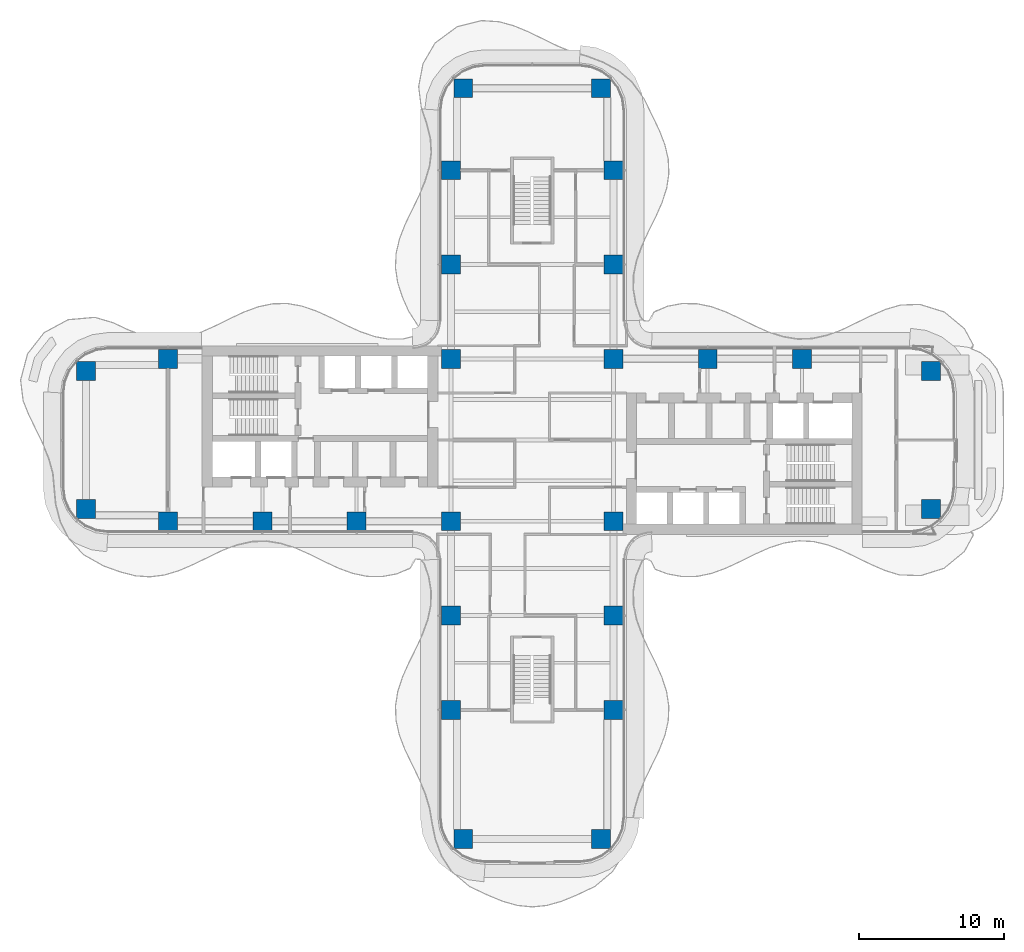
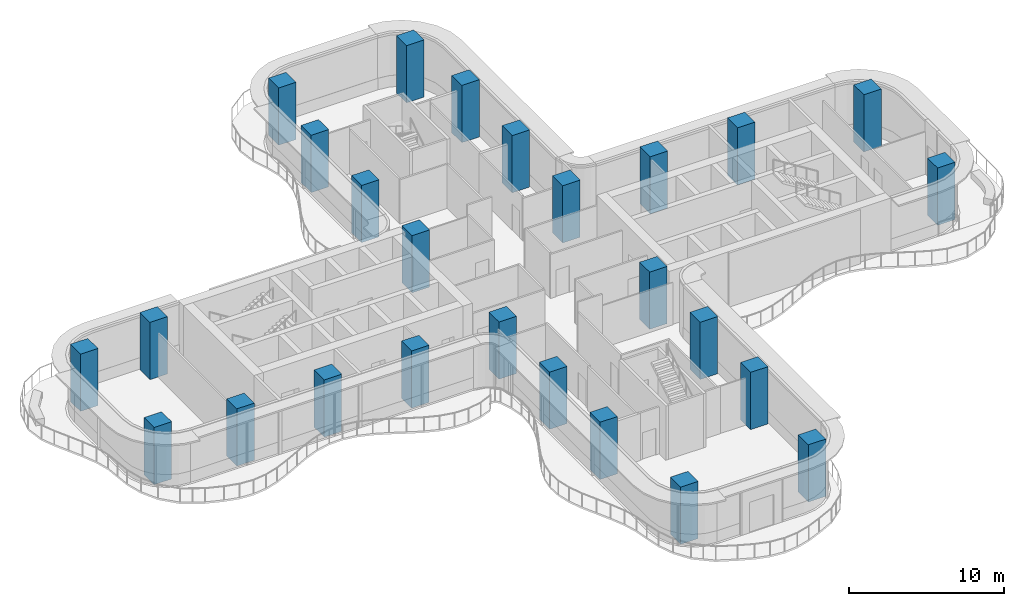
# One storey, part 1 of 21: 26 columns.
"""IFC4 building model written with IfcOpenShell, lengths in metres."""

import ifcopenshell
import ifcopenshell.guid

model = None  # the IFC model being written
_history = None  # IfcOwnerHistory: only IFC2X3 demands one
_inside = {}  # id of a spatial element -> (the spatial element, [elements in it])
_under = {}  # id of a project, library or spatial element -> (it, [spatial elements below it])
_declared = {}  # id of a project -> (the project, [libraries it declares])
_typed = {}  # id of a type object -> (the type object, [elements of that type])
_made_of = {}  # id of a material, layer set ... -> (it, [elements and type objects made of it])


def new_model(schema):
    """Start an empty IFC model of exactly this schema.

    Asked for "IFC4X3", IfcOpenShell would pick the latest addendum, in which some entities
    have other attributes; the version numbers below select the first issue.
    IFC2X3 requires an IfcOwnerHistory on every rooted entity: one is made here for all.
    """
    global model, _history
    if schema == "IFC4X3":
        model = ifcopenshell.file(schema_version=(4, 3, 0, 0))
    else:
        model = ifcopenshell.file(schema=schema)
    _inside.clear()
    _under.clear()
    _declared.clear()
    _typed.clear()
    _made_of.clear()
    _history = None
    if model.schema == "IFC2X3":
        org = make("IfcOrganization", Name="unknown")
        user = make(
            "IfcPersonAndOrganization",
            ThePerson=make("IfcPerson", FamilyName="unknown"),
            TheOrganization=org,
        )
        app = make(
            "IfcApplication",
            ApplicationDeveloper=org,
            Version="unknown",
            ApplicationFullName="unknown",
            ApplicationIdentifier="unknown",
        )
        _history = make(
            "IfcOwnerHistory",
            OwningUser=user,
            OwningApplication=app,
            ChangeAction="ADDED",
            CreationDate=0,
        )
    return model


def make(cls, **values):
    """One entity of the class cls with the attributes given. An attribute that is None is left unset."""
    return model.create_entity(
        cls, **{name: value for name, value in values.items() if value is not None}
    )


def rooted(cls, **values):
    """An entity with a GlobalId (a new one), such as an element, a storey or a relation."""
    return make(cls, GlobalId=ifcopenshell.guid.new(), OwnerHistory=_history, **values)


def si_unit(unit_type, name, prefix=None):
    """IfcSIUnit, for example si_unit("LENGTHUNIT", "METRE", prefix="MILLI")."""
    return make("IfcSIUnit", UnitType=unit_type, Prefix=prefix, Name=name)


def assignment(units):
    """IfcUnitAssignment: the units of a project."""
    return None if units is None else make("IfcUnitAssignment", Units=units)


def point(xyz):
    """IfcCartesianPoint."""
    return None if xyz is None else make("IfcCartesianPoint", Coordinates=xyz)


def direction(xyz):
    """IfcDirection."""
    return None if xyz is None else make("IfcDirection", DirectionRatios=xyz)


def frame(location, z_axis=None, x_axis=None):
    """IfcAxis2Placement3D, a coordinate frame: its origin and axes. An axis left out is left unset."""
    return make(
        "IfcAxis2Placement3D",
        Location=point(location),
        Axis=direction(z_axis),
        RefDirection=direction(x_axis),
    )


def frame_2d(location, x_axis=None):
    """IfcAxis2Placement2D, a coordinate frame in the plane: its origin and x axis."""
    return make(
        "IfcAxis2Placement2D", Location=point(location), RefDirection=direction(x_axis)
    )


def origin():
    """The frame at (0, 0, 0) with its axes left unset."""
    return frame((0.0, 0.0, 0.0))


def origin_2d():
    """The frame at (0, 0) in the plane with its x axis left unset."""
    return frame_2d((0.0, 0.0))


def place(relative_to, where):
    """IfcLocalPlacement: puts the frame where relative to a parent placement (None: the world)."""
    return make(
        "IfcLocalPlacement", PlacementRelTo=relative_to, RelativePlacement=where
    )


def context(
    kind, dimensions, precision=None, world=None, true_north=None, identifier=None
):
    """IfcGeometricRepresentationContext, for example the 3D "Model" context."""
    return make(
        "IfcGeometricRepresentationContext",
        ContextIdentifier=identifier,
        ContextType=kind,
        CoordinateSpaceDimension=dimensions,
        Precision=precision,
        WorldCoordinateSystem=world,
        TrueNorth=true_north,
    )


def subcontext(parent, identifier, kind, view, scale=None):
    """IfcGeometricRepresentationSubContext, for example "Body" below "Model"."""
    return make(
        "IfcGeometricRepresentationSubContext",
        ContextIdentifier=identifier,
        ContextType=kind,
        ParentContext=parent,
        TargetScale=scale,
        TargetView=view,
    )


def project(units=None, contexts=None):
    """IfcProject with its units and contexts."""
    return rooted(
        "IfcProject",
        Name="project",
        RepresentationContexts=contexts,
        UnitsInContext=assignment(units),
    )


def spatial(cls, under=None, at=None, **own):
    """A site, building, storey or space (cls), placed at a placement, below another one or the project."""
    s = rooted(cls, ObjectPlacement=at, **own)
    if under is not None:
        _under.setdefault(under.id(), (under, []))[1].append(s)
    return s


def profile(cls, at=None, kind="AREA", **sizes):
    """A parametric profile (cls). Its sizes go by their IFC names, for example OverallWidth=200.0."""
    return make(cls, ProfileType=kind, Position=at, **sizes)


def rectangle(**sizes):
    """IfcRectangleProfileDef."""
    return profile("IfcRectangleProfileDef", **sizes)


def extrude(swept, where, along, depth):
    """IfcExtrudedAreaSolid: the profile swept, set in the frame where, extruded along a direction by depth."""
    return make(
        "IfcExtrudedAreaSolid",
        SweptArea=swept,
        Position=where,
        ExtrudedDirection=direction(along),
        Depth=depth,
    )


def shape(context_of_items, identifier, shape_type, items):
    """IfcShapeRepresentation: the items that make up one representation, for example the "Body"."""
    return make(
        "IfcShapeRepresentation",
        ContextOfItems=context_of_items,
        RepresentationIdentifier=identifier,
        RepresentationType=shape_type,
        Items=items,
    )


def source(mapping_origin, context_of_items, identifier, shape_type, items):
    """IfcRepresentationMap: a shape defined once, which mapped items show again and again."""
    return make(
        "IfcRepresentationMap",
        MappingOrigin=mapping_origin,
        MappedRepresentation=shape(context_of_items, identifier, shape_type, items),
    )


def transform(
    local_origin,
    x_axis=None,
    y_axis=None,
    z_axis=None,
    scale=None,
    scale2=None,
    scale3=None,
    uniform=True,
):
    """IfcCartesianTransformationOperator3D, or its non-uniform kind. x_axis, y_axis, z_axis: its Axis1, 2, 3."""
    if uniform:
        return make(
            "IfcCartesianTransformationOperator3D",
            Axis1=direction(x_axis),
            Axis2=direction(y_axis),
            LocalOrigin=point(local_origin),
            Scale=scale,
            Axis3=direction(z_axis),
        )
    return make(
        "IfcCartesianTransformationOperator3DnonUniform",
        Axis1=direction(x_axis),
        Axis2=direction(y_axis),
        LocalOrigin=point(local_origin),
        Scale=scale,
        Axis3=direction(z_axis),
        Scale2=scale2,
        Scale3=scale3,
    )


def mapped(mapping_source, mapping_target):
    """IfcMappedItem: shows the shape of a source again, moved by a transform."""
    return make(
        "IfcMappedItem", MappingSource=mapping_source, MappingTarget=mapping_target
    )


def material(Name=None, Category=None):
    """IfcMaterial."""
    return make("IfcMaterial", Name=Name, Category=Category)


def material_profile(
    of_material, cross_section, Name=None, Category=None, Priority=None
):
    """IfcMaterialProfile: a cross section and its material."""
    return make(
        "IfcMaterialProfile",
        Name=Name,
        Material=of_material,
        Profile=cross_section,
        Priority=Priority,
        Category=Category,
    )


def profile_set(profiles, Name=None, composite=None):
    """IfcMaterialProfileSet."""
    return make(
        "IfcMaterialProfileSet",
        Name=Name,
        MaterialProfiles=profiles,
        CompositeProfile=composite,
    )


def made_of(thing, what):
    """Note that an element or type object is made of a material, layer set ...; save() writes the relation."""
    if what is not None:
        _made_of.setdefault(what.id(), (what, []))[1].append(thing)
    return thing


def type_object(cls, material=None, **own):
    """A type object (cls), such as IfcWallType, which elements share."""
    return made_of(rooted(cls, **own), material)


def element(
    cls,
    number,
    at=None,
    inside=None,
    cuts=None,
    type_object=None,
    material=None,
    context=None,
    identifier="Body",
    shape_type=None,
    held_by="IfcProductDefinitionShape",
    body=None,
    shapes=None,
    **own,
):
    """One element of the class cls, such as IfcWall. Its Tag is "e" and its number.

    at: its placement. inside: the storey or other place that contains it. cuts: it is an
    opening in that element (IfcRelVoidsElement). A single representation is given by context,
    identifier, shape_type and body (its items); several are given by shapes. held_by: the class
    of the entity that holds the representations. save() writes the other relations.
    """
    e = rooted(cls, Tag="e%d" % number, ObjectPlacement=at, **own)
    if body is not None:
        shapes = [shape(context, identifier, shape_type, body)]
    if shapes is not None:
        e.Representation = make(held_by, Representations=shapes)
    if inside is not None:
        _inside.setdefault(inside.id(), (inside, []))[1].append(e)
    if cuts is not None:
        rooted(
            "IfcRelVoidsElement", RelatingBuildingElement=cuts, RelatedOpeningElement=e
        )
    if type_object is not None:
        _typed.setdefault(type_object.id(), (type_object, []))[1].append(e)
    return made_of(e, material)


def aggregate(whole, parts):
    """IfcRelAggregates: a whole, such as a stair, and the parts it consists of."""
    return rooted("IfcRelAggregates", RelatingObject=whole, RelatedObjects=parts)


def save(model, path):
    """Write the relations noted so far, then the file.

    IfcRelAggregates (storeys below a building ...), IfcRelContainedInSpatialStructure (elements
    in a storey), IfcRelDefinesByType, IfcRelAssociatesMaterial and IfcRelDeclares: one each for
    every whole, place, type object, material and project.
    """
    for whole, parts in _under.values():
        aggregate(whole, parts)
    for where, things in _inside.values():
        rooted(
            "IfcRelContainedInSpatialStructure",
            RelatedElements=things,
            RelatingStructure=where,
        )
    for kind, things in _typed.values():
        rooted("IfcRelDefinesByType", RelatedObjects=things, RelatingType=kind)
    for what, things in _made_of.values():
        rooted("IfcRelAssociatesMaterial", RelatedObjects=things, RelatingMaterial=what)
    for by, libraries in _declared.values():
        rooted("IfcRelDeclares", RelatingContext=by, RelatedDefinitions=libraries)
    model.write(path)


model = new_model("IFC4")

# Units and contexts
model_context = context("Model", 3, precision=1e-05, world=origin(), true_north=direction((0.0, 1.0)))
body_context = subcontext(model_context, "Body", "Model", "MODEL_VIEW")
ifc_project = project(units=[si_unit("LENGTHUNIT", "METRE"), si_unit("AREAUNIT", "SQUARE_METRE"), si_unit("VOLUMEUNIT", "CUBIC_METRE"), si_unit("PLANEANGLEUNIT", "RADIAN"), si_unit("MASSUNIT", "GRAM", prefix="KILO")], contexts=[model_context])

# Site, building, storey
site_placement = place(None, origin())
site = spatial("IfcSite", under=ifc_project, at=site_placement, CompositionType="ELEMENT")
building_placement = place(site_placement, origin())
building = spatial("IfcBuilding", under=site, at=building_placement, Name="Trellis Farm Tower", CompositionType="ELEMENT")
storey_placement = place(building_placement, frame((0.0, 0.0, 97.5)))
storey = spatial("IfcBuildingStorey", under=building, at=storey_placement, Name="L20", CompositionType="ELEMENT", Elevation=97.5)

# Columns
ifc_material = material(Name="Concrete C80/95", Category="concrete")
ifc_material_profile = material_profile(ifc_material, rectangle(XDim=1.300048828125, YDim=1.300048828125, at=origin_2d()), Name="RC column 1300x1300 C80/95")
ifc_profile_set = profile_set([ifc_material_profile], Name="Concrete C80/95")
column_type = type_object("IfcColumnType", Name="RC column 1300x1300 C80/95", PredefinedType="COLUMN", material=ifc_profile_set)
shared_shape = source(origin(), body_context, "Body", "SweptSolid", [
    extrude(rectangle(XDim=1.300048828125, YDim=1.300048828125, at=origin_2d()), origin(), (0.0, 0.0, 1.0), 4.5),
])
for number, where, z_axis, x_axis, name in (
    (1, (12.10009765625, 5.60009765625, 0.0), (0.0, 0.0, 1.0), (1.0, 0.0, 0.0), "Column"),
    (2, (18.60009765625, 5.60009765625, 0.0), (0.0, 0.0, 1.0), (1.0, 0.0, 0.0), "Column"),
    (3, (27.5, 4.75, 0.0), (0.0, 0.0, 1.0), (1.0, 0.0, 0.0), "Column"),
    (4, (27.5, -4.75, 0.0), (0.0, 0.0, 1.0), (1.0, 0.0, 0.0), "Column"),
    (5, (-5.60009765625, 12.10009765625, 0.0), (0.0, 0.0, 1.0), (1.0, 0.0, 0.0), "Column"),
    (6, (-5.60009765625, 18.60009765625, 0.0), (0.0, 0.0, 1.0), (1.0, 0.0, 0.0), "Column"),
    (7, (-4.75, 24.25, 0.0), (0.0, 0.0, 1.0), (1.0, 0.0, 0.0), "Column"),
    (8, (5.60009765625, 12.10009765625, 0.0), (0.0, 0.0, 1.0), (1.0, 0.0, 0.0), "Column"),
    (9, (5.60009765625, 18.60009765625, 0.0), (0.0, 0.0, 1.0), (1.0, 0.0, 0.0), "Column"),
    (10, (4.75, 24.25, 0.0), (0.0, 0.0, 1.0), (1.0, 0.0, 0.0), "Column"),
    (11, (5.60009765625, 5.60009765625, 0.0), (0.0, 0.0, 1.0), (1.0, 0.0, 0.0), "Column"),
    (12, (-5.60009765625, 5.60009765625, 0.0), (0.0, 0.0, 1.0), (1.0, 0.0, 0.0), "Column"),
    (13, (5.60009765625, -5.60009765625, 0.0), (0.0, 0.0, 1.0), (1.0, 0.0, 0.0), "Column"),
    (14, (-5.60009765625, -5.60009765625, 0.0), (0.0, 0.0, 1.0), (1.0, 0.0, 0.0), "Column"),
    (15, (5.60009765625, -12.10009765625, 0.0), (0.0, 0.0, 1.0), (1.0, 0.0, 0.0), "Column"),
    (16, (5.60009765625, -18.60009765625, 0.0), (0.0, 0.0, 1.0), (1.0, 0.0, 0.0), "Column"),
    (17, (4.75, -27.5, 0.0), (0.0, 0.0, 1.0), (1.0, 0.0, 0.0), "Column"),
    (18, (-5.60009765625, -12.10009765625, 0.0), (0.0, 0.0, 1.0), (1.0, 0.0, 0.0), "Column"),
    (19, (-5.60009765625, -18.60009765625, 0.0), (0.0, 0.0, 1.0), (1.0, 0.0, 0.0), "Column"),
    (20, (-4.75, -27.5, 0.0), (0.0, 0.0, 1.0), (1.0, 0.0, 0.0), "Column"),
    (21, (-12.10009765625, -5.60009765625, 0.0), (0.0, 0.0, 1.0), (1.0, 0.0, 0.0), "Column"),
    (22, (-18.60009765625, -5.60009765625, 0.0), (0.0, 0.0, 1.0), (1.0, 0.0, 0.0), "Column"),
    (23, (-25.10009765625, -5.60009765625, 0.0), (0.0, 0.0, 1.0), (1.0, 0.0, 0.0), "Column"),
    (24, (-30.75, -4.75, 0.0), (0.0, 0.0, 1.0), (1.0, 0.0, 0.0), "Column"),
    (25, (-25.10009765625, 5.60009765625, 0.0), (0.0, 0.0, 1.0), (1.0, 0.0, 0.0), "Column"),
    (26, (-30.75, 4.75, 0.0), (0.0, 0.0, 1.0), (1.0, 0.0, 0.0), "Column"),
):
    element("IfcColumn", number, at=place(storey_placement, frame(where, z_axis=z_axis, x_axis=x_axis)), inside=storey, type_object=column_type, Name=name, PredefinedType="COLUMN", context=body_context, shape_type="MappedRepresentation", body=[
        mapped(shared_shape, transform((0.0, 0.0, 0.0))),
    ])

save(model, "model.ifc")
